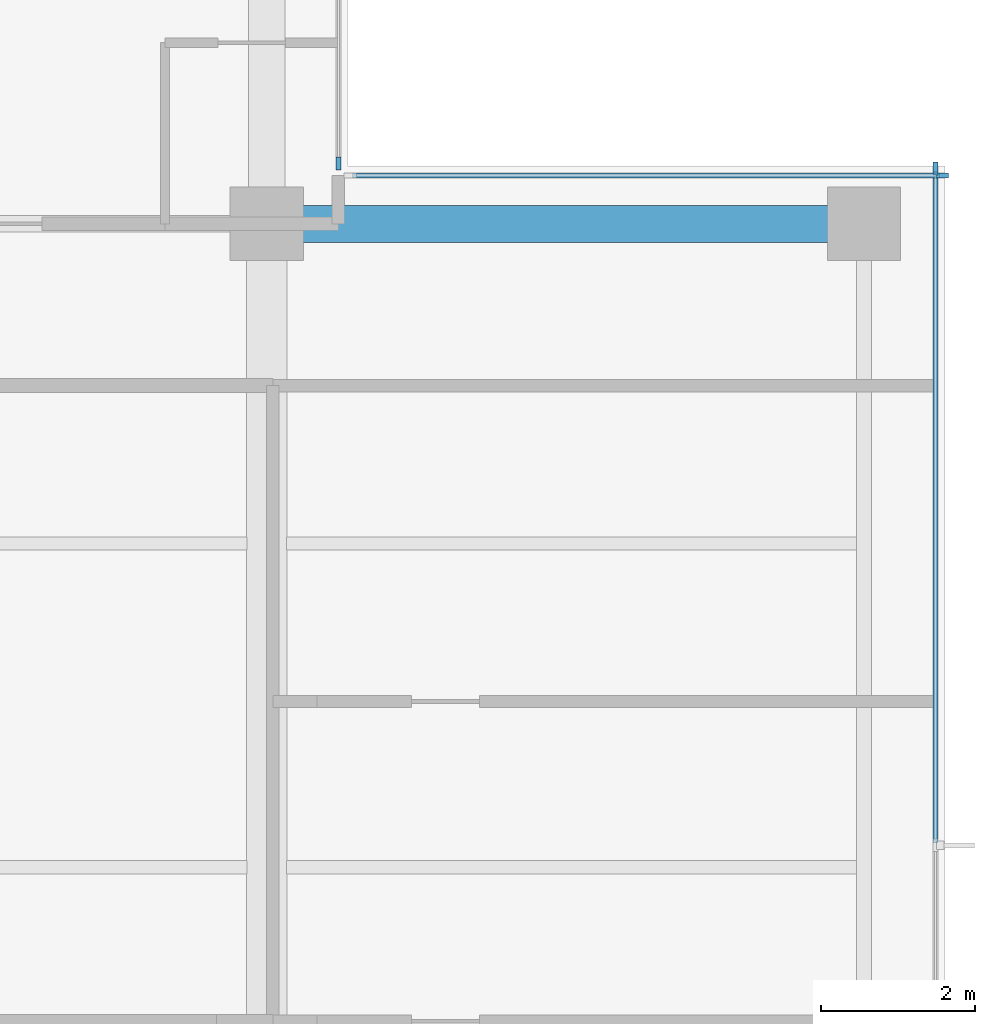
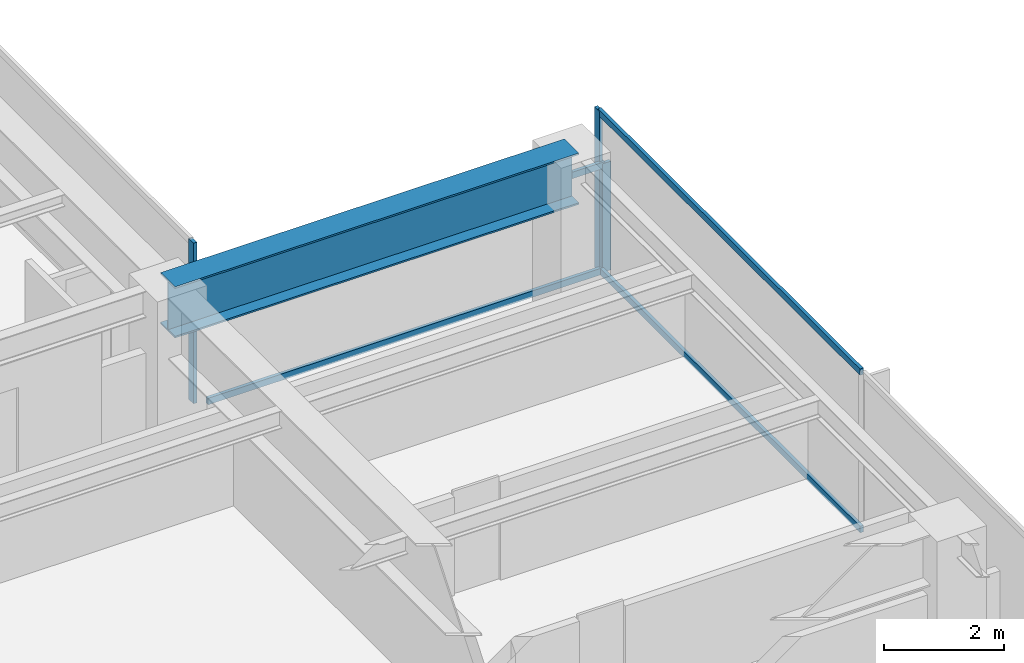
# One storey, part 4 of 14: 7 members, 1 beam, 3 elements without a shape of their own.
"""IFC4 building model written with IfcOpenShell, lengths in metres."""

from ifc_helpers import new_model, si_unit, direction, frame, origin, origin_2d, place, context, subcontext, project, spatial, rectangle, i_section, extrude, material, layer, layer_set, material_profile, profile_set, type_object, element, aggregate, save


model = new_model("IFC4")

# Units and contexts
model_context = context("Model", 3, precision=1e-05, world=origin(), true_north=direction((0.0, 1.0)))
body_context = subcontext(model_context, "Body", "Model", "MODEL_VIEW")
ifc_project = project(units=[si_unit("LENGTHUNIT", "METRE"), si_unit("AREAUNIT", "SQUARE_METRE"), si_unit("VOLUMEUNIT", "CUBIC_METRE"), si_unit("PLANEANGLEUNIT", "RADIAN"), si_unit("MASSUNIT", "GRAM", prefix="KILO")], contexts=[model_context])

# Site, building, storey
site_placement = place(None, origin())
site = spatial("IfcSite", under=ifc_project, at=site_placement, CompositionType="ELEMENT")
building_placement = place(site_placement, origin())
building = spatial("IfcBuilding", under=site, at=building_placement, Name="Qalmaran Belvedere Hotel", CompositionType="ELEMENT")
storey_placement = place(building_placement, frame((0.0, 0.0, 235.39990234375)))
storey = spatial("IfcBuildingStorey", under=building, at=storey_placement, Name="L60", CompositionType="ELEMENT", Elevation=235.39990234375)

# Beam
ifc_material_1 = material(Name="Steel S355JR", Category="steel")
ifc_material_profile_1 = material_profile(ifc_material_1, i_section(OverallWidth=0.47998046875, OverallDepth=1.0400390625, WebThickness=0.02197265625, FlangeThickness=0.033935546875, at=origin_2d()), Name="PG1040X480X34")
ifc_profile_set_1 = profile_set([ifc_material_profile_1], Name="Steel S355JR")
beam_type = type_object("IfcBeamType", Name="BM-TG8-PG1040X480", PredefinedType="USERDEFINED", material=ifc_profile_set_1)
beam_placement = place(storey_placement, frame((44.800048828125, 33.0, 2.739990234375), z_axis=(1.0, 0.0, 0.0), x_axis=(0.0, 1.0, 0.0)))
element("IfcBeam", 1, at=beam_placement, inside=storey, type_object=beam_type, Name="L60 East Wing Setback Transfer Girder 27", ObjectType="GIRDER", PredefinedType="USERDEFINED", context=body_context, shape_type="SweptSolid", body=[
    extrude(i_section(OverallWidth=0.47998046875, OverallDepth=1.0400390625, WebThickness=0.02197265625, FlangeThickness=0.033935546875, at=origin_2d()), origin(), (0.0, 0.0, 1.0), 7.75),
])

# Curtain wall, member
ifc_material_2 = material(Name="Anodised Bronze Aluminium", Category="aluminium")
ifc_layer = layer(ifc_material_2, 0.18994140625, Name="Anodised Bronze Aluminium")
ifc_layer_set = layer_set([ifc_layer], Name="Anodised Bronze Aluminium")
curtain_wall_type = type_object("IfcCurtainWallType", Name="CW5-TOWER-UPPER", PredefinedType="NOTDEFINED", material=ifc_layer_set)
curtain_wall_1_placement = place(storey_placement, origin())
curtain_wall_1 = element("IfcCurtainWall", 2, at=curtain_wall_1_placement, inside=storey, type_object=curtain_wall_type, Name="L60 Curtain Wall CW5", PredefinedType="NOTDEFINED")
ifc_material_profile_2 = material_profile(ifc_material_2, rectangle(XDim=0.06494140625, YDim=0.1650390625, at=origin_2d()), Name="CWM65X165")
ifc_profile_set_2 = profile_set([ifc_material_profile_2], Name="Anodised Bronze Aluminium")
member_type_1 = type_object("IfcMemberType", Name="CWM-65X165", PredefinedType="MULLION", material=ifc_profile_set_2)
member_1_placement = place(storey_placement, frame((53.47998046875, 33.717529296875, 0.0), z_axis=(0.0, 0.0, 1.0), x_axis=(-1.0, 0.0, 0.0)))
member_1 = element("IfcMember", 3, at=member_1_placement, type_object=member_type_1, Name="CW5 mullion 4", PredefinedType="MULLION", context=body_context, shape_type="SweptSolid", body=[
    extrude(rectangle(XDim=0.06494140625, YDim=0.1650390625, at=origin_2d()), origin(), (0.0, 0.0, 1.0), 3.260009765625),
])

curtain_wall_2_placement = place(storey_placement, origin())
curtain_wall_2 = element("IfcCurtainWall", 4, at=curtain_wall_2_placement, inside=storey, type_object=curtain_wall_type, Name="L60 Curtain Wall CW5", PredefinedType="NOTDEFINED")
member_2_placement = place(storey_placement, frame((53.5673828125, 33.6298828125, 0.0), z_axis=(0.0, 0.0, 1.0), x_axis=(0.0, -1.0, 0.0)))
member_2 = element("IfcMember", 5, at=member_2_placement, type_object=member_type_1, Name="CW5 mullion 1", PredefinedType="MULLION", context=body_context, shape_type="SweptSolid", body=[
    extrude(rectangle(XDim=0.06494140625, YDim=0.1650390625, at=origin_2d()), origin(), (0.0, 0.0, 1.0), 2.205078125),
])

curtain_wall_3_placement = place(storey_placement, origin())
curtain_wall_3 = element("IfcCurtainWall", 6, at=curtain_wall_3_placement, inside=storey, type_object=curtain_wall_type, Name="L60 Curtain Wall CW5", PredefinedType="NOTDEFINED")
member_3_placement = place(storey_placement, frame((45.72998046875, 33.782470703125, 0.0), z_axis=(0.0, 0.0, 1.0), x_axis=(-1.0, 0.0, 0.0)))
member_3 = element("IfcMember", 7, at=member_3_placement, type_object=member_type_1, Name="CW5 mullion 1", PredefinedType="MULLION", context=body_context, shape_type="SweptSolid", body=[
    extrude(rectangle(XDim=0.06494140625, YDim=0.1650390625, at=origin_2d()), origin(), (0.0, 0.0, 1.0), 3.260009765625),
])
aggregate(curtain_wall_3, [member_3])

# Member
ifc_material_profile_3 = material_profile(ifc_material_2, rectangle(XDim=0.06494140625, YDim=0.1298828125, at=origin_2d()), Name="CWT65X130")
ifc_profile_set_3 = profile_set([ifc_material_profile_3], Name="Anodised Bronze Aluminium")
member_type_2 = type_object("IfcMemberType", Name="CWT-65X130", PredefinedType="USERDEFINED", material=ifc_profile_set_3)
member_4_placement = place(storey_placement, frame((53.47998046875, 24.9658203125, 0.03271484375), z_axis=(0.0, 1.0, 0.0), x_axis=(-1.0, 0.0, 0.0)))
member_4 = element("IfcMember", 8, at=member_4_placement, type_object=member_type_2, Name="CW5 transom 3.1", ObjectType="TRANSOM", PredefinedType="USERDEFINED", context=body_context, shape_type="SweptSolid", body=[
    extrude(rectangle(XDim=0.06494140625, YDim=0.1298828125, at=origin_2d()), origin(), (0.0, 0.0, 1.0), 8.71923828125),
])

member_5_placement = place(storey_placement, frame((53.47998046875, 24.9658203125, 3.2275390625), z_axis=(0.0, 1.0, 0.0), x_axis=(-1.0, 0.0, 0.0)))
member_5 = element("IfcMember", 9, at=member_5_placement, type_object=member_type_2, Name="CW5 transom 3.2", ObjectType="TRANSOM", PredefinedType="USERDEFINED", context=body_context, shape_type="SweptSolid", body=[
    extrude(rectangle(XDim=0.06494140625, YDim=0.1298828125, at=origin_2d()), origin(), (0.0, 0.0, 1.0), 8.71923828125),
])

aggregate(curtain_wall_1, [member_1, member_4, member_5])

member_6_placement = place(storey_placement, frame((53.534912109375, 33.6298828125, 0.03271484375), z_axis=(-1.0, 0.0, 0.0), x_axis=(0.0, -1.0, 0.0)))
member_6 = element("IfcMember", 10, at=member_6_placement, type_object=member_type_2, Name="CW5 transom 1.1", ObjectType="TRANSOM", PredefinedType="USERDEFINED", context=body_context, shape_type="SweptSolid", body=[
    extrude(rectangle(XDim=0.06494140625, YDim=0.1298828125, at=origin_2d()), origin(), (0.0, 0.0, 1.0), 7.619873046875),
])

member_7_placement = place(storey_placement, frame((53.534912109375, 33.6298828125, 2.172607421875), z_axis=(-1.0, 0.0, 0.0), x_axis=(0.0, -1.0, 0.0)))
member_7 = element("IfcMember", 11, at=member_7_placement, type_object=member_type_2, Name="CW5 transom 1.2", ObjectType="TRANSOM", PredefinedType="USERDEFINED", context=body_context, shape_type="SweptSolid", body=[
    extrude(rectangle(XDim=0.06494140625, YDim=0.1298828125, at=origin_2d()), origin(), (0.0, 0.0, 1.0), 7.619873046875),
])

aggregate(curtain_wall_2, [member_2, member_6, member_7])

save(model, "model.ifc")
